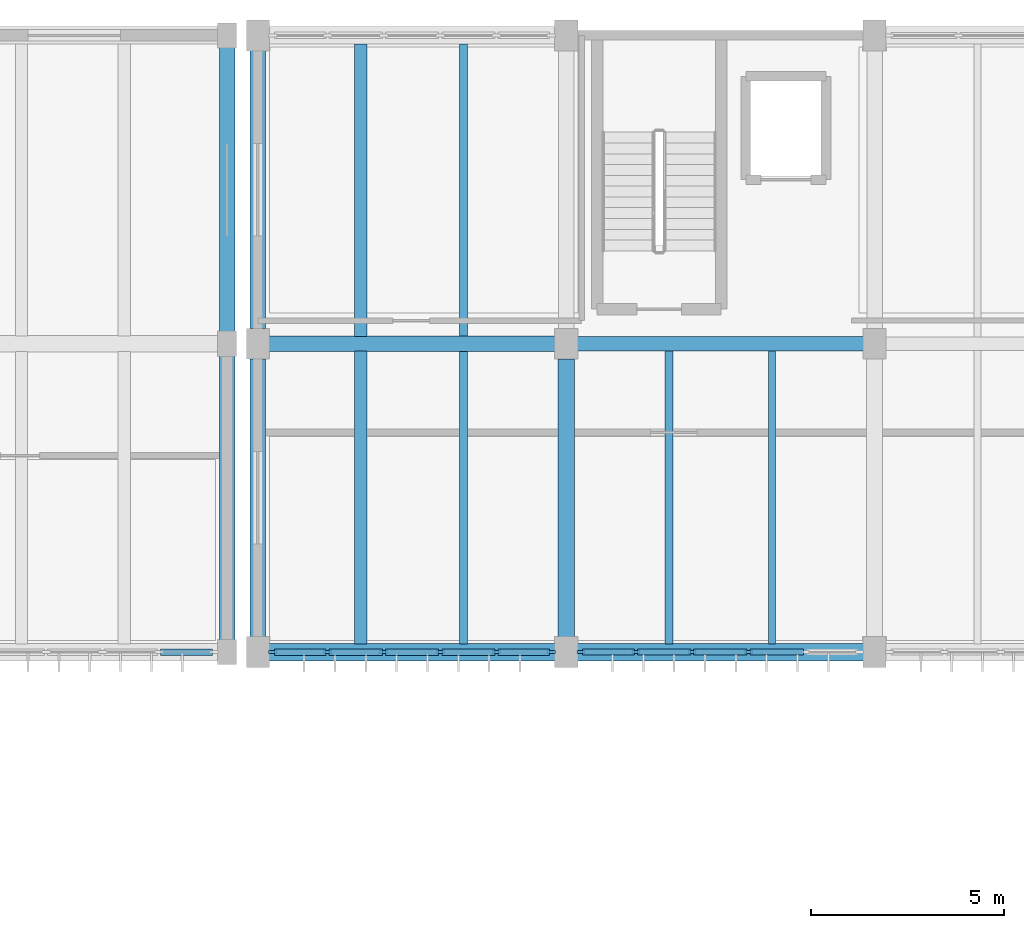
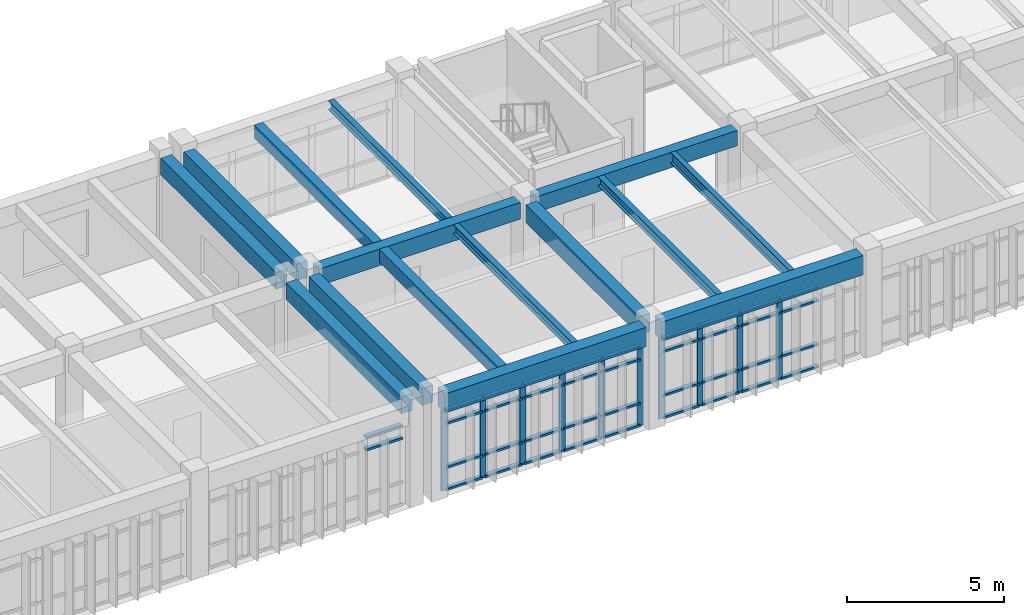
# One storey, part 23 of 67: 48 members, 15 beams, 3 elements without a shape of their own.
"""IFC4 building model written with IfcOpenShell, lengths in metres."""

from ifc_helpers import new_model, si_unit, direction, frame, origin, origin_2d, place, context, subcontext, project, spatial, rectangle, i_section, extrude, material, material_profile, profile_set, type_object, element, aggregate, save


model = new_model("IFC4")

# Units and contexts
model_context = context("Model", 3, precision=1e-05, world=origin(), true_north=direction((0.0, 1.0)))
body_context = subcontext(model_context, "Body", "Model", "MODEL_VIEW")
ifc_project = project(units=[si_unit("LENGTHUNIT", "METRE"), si_unit("AREAUNIT", "SQUARE_METRE"), si_unit("VOLUMEUNIT", "CUBIC_METRE"), si_unit("PLANEANGLEUNIT", "RADIAN"), si_unit("MASSUNIT", "GRAM", prefix="KILO")], contexts=[model_context])

# Site, building, storey
site_placement = place(None, origin())
site = spatial("IfcSite", under=ifc_project, at=site_placement, CompositionType="ELEMENT")
building_placement = place(site_placement, origin())
building = spatial("IfcBuilding", under=site, at=building_placement, Name="Tlaxcora Railside Police Headquarters", CompositionType="ELEMENT")
storey_placement = place(building_placement, frame((0.0, 0.0, 4.800048828125)))
storey = spatial("IfcBuildingStorey", under=building, at=storey_placement, Name="L01", CompositionType="ELEMENT", Elevation=4.800048828125)

# Curtain wall, members
ifc_material_1 = material(Name="Thermally broken low-E insulated glazing", Category="glass")
curtain_wall_type_1 = type_object("IfcCurtainWallType", Name="Unitised Curtain Wall Assembly CW-23", PredefinedType="NOTDEFINED", material=ifc_material_1)
curtain_wall_1_placement = place(storey_placement, origin())
curtain_wall_1 = element("IfcCurtainWall", 1, at=curtain_wall_1_placement, inside=storey, type_object=curtain_wall_type_1, Name="V6 L01 curtain wall 144", PredefinedType="NOTDEFINED")
ifc_material_2 = material(Name="Anodised aluminium framing", Category="aluminium")
ifc_material_profile_1 = material_profile(ifc_material_2, rectangle(XDim=0.080078125, YDim=0.219970703125, at=origin_2d()), Name="AL80X220")
ifc_profile_set_1 = profile_set([ifc_material_profile_1], Name="Anodised aluminium framing")
member_type_1 = type_object("IfcMemberType", Name="Curtain Wall Mullion CW-31", PredefinedType="MULLION", material=ifc_profile_set_1)
member_1_placement = place(storey_placement, frame((103.18994140625, 76.800048828125, 0.0), z_axis=(0.0, 0.0, 1.0), x_axis=(0.0, 1.0, 0.0)))
member_1 = element("IfcMember", 2, at=member_1_placement, type_object=member_type_1, Name="CW mullion 1", PredefinedType="MULLION", context=body_context, shape_type="SweptSolid", body=[
    extrude(rectangle(XDim=0.080078125, YDim=0.219970703125, at=origin_2d()), origin(), (0.0, 0.0, 1.0), 3.139892578125),
])
member_2_placement = place(storey_placement, frame((104.610107421875, 76.800048828125, 0.0), z_axis=(0.0, 0.0, 1.0), x_axis=(0.0, 1.0, 0.0)))
member_2 = element("IfcMember", 3, at=member_2_placement, type_object=member_type_1, Name="CW mullion 2", PredefinedType="MULLION", context=body_context, shape_type="SweptSolid", body=[
    extrude(rectangle(XDim=0.080078125, YDim=0.219970703125, at=origin_2d()), origin(), (0.0, 0.0, 1.0), 3.139892578125),
])
member_3_placement = place(storey_placement, frame((106.070068359375, 76.800048828125, 0.0), z_axis=(0.0, 0.0, 1.0), x_axis=(0.0, 1.0, 0.0)))
member_3 = element("IfcMember", 4, at=member_3_placement, type_object=member_type_1, Name="CW mullion 3", PredefinedType="MULLION", context=body_context, shape_type="SweptSolid", body=[
    extrude(rectangle(XDim=0.080078125, YDim=0.219970703125, at=origin_2d()), origin(), (0.0, 0.0, 1.0), 3.139892578125),
])
member_4_placement = place(storey_placement, frame((107.530029296875, 76.800048828125, 0.0), z_axis=(0.0, 0.0, 1.0), x_axis=(0.0, 1.0, 0.0)))
member_4 = element("IfcMember", 5, at=member_4_placement, type_object=member_type_1, Name="CW mullion 4", PredefinedType="MULLION", context=body_context, shape_type="SweptSolid", body=[
    extrude(rectangle(XDim=0.080078125, YDim=0.219970703125, at=origin_2d()), origin(), (0.0, 0.0, 1.0), 3.139892578125),
])
member_5_placement = place(storey_placement, frame((108.989990234375, 76.800048828125, 0.0), z_axis=(0.0, 0.0, 1.0), x_axis=(0.0, 1.0, 0.0)))
member_5 = element("IfcMember", 6, at=member_5_placement, type_object=member_type_1, Name="CW mullion 5", PredefinedType="MULLION", context=body_context, shape_type="SweptSolid", body=[
    extrude(rectangle(XDim=0.080078125, YDim=0.219970703125, at=origin_2d()), origin(), (0.0, 0.0, 1.0), 3.139892578125),
])
member_6_placement = place(storey_placement, frame((110.409912109375, 76.800048828125, 0.0), z_axis=(0.0, 0.0, 1.0), x_axis=(0.0, 1.0, 0.0)))
member_6 = element("IfcMember", 7, at=member_6_placement, type_object=member_type_1, Name="CW mullion 6", PredefinedType="MULLION", context=body_context, shape_type="SweptSolid", body=[
    extrude(rectangle(XDim=0.080078125, YDim=0.219970703125, at=origin_2d()), origin(), (0.0, 0.0, 1.0), 3.139892578125),
])

curtain_wall_type_2 = type_object("IfcCurtainWallType", Name="Unitised Curtain Wall Assembly CW-38", PredefinedType="NOTDEFINED", material=ifc_material_1)
curtain_wall_2_placement = place(storey_placement, origin())
curtain_wall_2 = element("IfcCurtainWall", 8, at=curtain_wall_2_placement, inside=storey, type_object=curtain_wall_type_2, Name="V6 L01 curtain wall 145", PredefinedType="NOTDEFINED")
ifc_material_profile_2 = material_profile(ifc_material_2, rectangle(XDim=0.074951171875, YDim=0.205078125, at=origin_2d()), Name="AL75X205")
ifc_profile_set_2 = profile_set([ifc_material_profile_2], Name="Anodised aluminium framing")
member_type_2 = type_object("IfcMemberType", Name="Curtain Wall Mullion CW-32", PredefinedType="MULLION", material=ifc_profile_set_2)
member_7_placement = place(storey_placement, frame((111.1875, 76.800048828125, 0.0), z_axis=(0.0, 0.0, 1.0), x_axis=(0.0, 1.0, 0.0)))
member_7 = element("IfcMember", 9, at=member_7_placement, type_object=member_type_2, Name="CW mullion 1", PredefinedType="MULLION", context=body_context, shape_type="SweptSolid", body=[
    extrude(rectangle(XDim=0.074951171875, YDim=0.205078125, at=origin_2d()), origin(), (0.0, 0.0, 1.0), 3.139892578125),
])
member_8_placement = place(storey_placement, frame((112.610107421875, 76.800048828125, 0.0), z_axis=(0.0, 0.0, 1.0), x_axis=(0.0, 1.0, 0.0)))
member_8 = element("IfcMember", 10, at=member_8_placement, type_object=member_type_2, Name="CW mullion 2", PredefinedType="MULLION", context=body_context, shape_type="SweptSolid", body=[
    extrude(rectangle(XDim=0.074951171875, YDim=0.205078125, at=origin_2d()), origin(), (0.0, 0.0, 1.0), 3.139892578125),
])
member_9_placement = place(storey_placement, frame((114.070068359375, 76.800048828125, 0.0), z_axis=(0.0, 0.0, 1.0), x_axis=(0.0, 1.0, 0.0)))
member_9 = element("IfcMember", 11, at=member_9_placement, type_object=member_type_2, Name="CW mullion 3", PredefinedType="MULLION", context=body_context, shape_type="SweptSolid", body=[
    extrude(rectangle(XDim=0.074951171875, YDim=0.205078125, at=origin_2d()), origin(), (0.0, 0.0, 1.0), 3.139892578125),
])
member_10_placement = place(storey_placement, frame((115.530029296875, 76.800048828125, 0.0), z_axis=(0.0, 0.0, 1.0), x_axis=(0.0, 1.0, 0.0)))
member_10 = element("IfcMember", 12, at=member_10_placement, type_object=member_type_2, Name="CW mullion 4", PredefinedType="MULLION", context=body_context, shape_type="SweptSolid", body=[
    extrude(rectangle(XDim=0.074951171875, YDim=0.205078125, at=origin_2d()), origin(), (0.0, 0.0, 1.0), 3.139892578125),
])
ifc_material_profile_3 = material_profile(ifc_material_2, rectangle(XDim=0.155029296875, YDim=0.074951171875, at=origin_2d()), Name="AL75X155")
ifc_profile_set_3 = profile_set([ifc_material_profile_3], Name="Anodised aluminium framing")
member_type_3 = type_object("IfcMemberType", Name="Curtain Wall Transom CW-30", PredefinedType="USERDEFINED", material=ifc_profile_set_3)
member_11_placement = place(storey_placement, frame((111.22509765625, 76.800048828125, 0.037353515625), z_axis=(1.0, 0.0, 0.0), x_axis=(0.0, 1.0, 0.0)))
member_11 = element("IfcMember", 13, at=member_11_placement, type_object=member_type_3, Name="CW transom 1.1", ObjectType="TRANSOM", PredefinedType="USERDEFINED", context=body_context, shape_type="SweptSolid", body=[
    extrude(rectangle(XDim=0.155029296875, YDim=0.074951171875, at=origin_2d()), origin(), (0.0, 0.0, 1.0), 1.347412109375),
])
member_12_placement = place(storey_placement, frame((111.22509765625, 76.800048828125, 0.89990234375), z_axis=(1.0, 0.0, 0.0), x_axis=(0.0, 1.0, 0.0)))
member_12 = element("IfcMember", 14, at=member_12_placement, type_object=member_type_3, Name="CW transom 1.2", ObjectType="TRANSOM", PredefinedType="USERDEFINED", context=body_context, shape_type="SweptSolid", body=[
    extrude(rectangle(XDim=0.155029296875, YDim=0.074951171875, at=origin_2d()), origin(), (0.0, 0.0, 1.0), 1.347412109375),
])
member_13_placement = place(storey_placement, frame((111.22509765625, 76.800048828125, 2.60986328125), z_axis=(1.0, 0.0, 0.0), x_axis=(0.0, 1.0, 0.0)))
member_13 = element("IfcMember", 15, at=member_13_placement, type_object=member_type_3, Name="CW transom 1.3", ObjectType="TRANSOM", PredefinedType="USERDEFINED", context=body_context, shape_type="SweptSolid", body=[
    extrude(rectangle(XDim=0.155029296875, YDim=0.074951171875, at=origin_2d()), origin(), (0.0, 0.0, 1.0), 1.347412109375),
])
member_14_placement = place(storey_placement, frame((111.22509765625, 76.800048828125, 3.1025390625), z_axis=(1.0, 0.0, 0.0), x_axis=(0.0, 1.0, 0.0)))
member_14 = element("IfcMember", 16, at=member_14_placement, type_object=member_type_3, Name="CW transom 1.4", ObjectType="TRANSOM", PredefinedType="USERDEFINED", context=body_context, shape_type="SweptSolid", body=[
    extrude(rectangle(XDim=0.155029296875, YDim=0.074951171875, at=origin_2d()), origin(), (0.0, 0.0, 1.0), 1.347412109375),
])
member_15_placement = place(storey_placement, frame((112.6474609375, 76.800048828125, 0.037353515625), z_axis=(1.0, 0.0, 0.0), x_axis=(0.0, 1.0, 0.0)))
member_15 = element("IfcMember", 17, at=member_15_placement, type_object=member_type_3, Name="CW transom 2.1", ObjectType="TRANSOM", PredefinedType="USERDEFINED", context=body_context, shape_type="SweptSolid", body=[
    extrude(rectangle(XDim=0.155029296875, YDim=0.074951171875, at=origin_2d()), origin(), (0.0, 0.0, 1.0), 1.385009765625),
])
member_16_placement = place(storey_placement, frame((112.6474609375, 76.800048828125, 0.89990234375), z_axis=(1.0, 0.0, 0.0), x_axis=(0.0, 1.0, 0.0)))
member_16 = element("IfcMember", 18, at=member_16_placement, type_object=member_type_3, Name="CW transom 2.2", ObjectType="TRANSOM", PredefinedType="USERDEFINED", context=body_context, shape_type="SweptSolid", body=[
    extrude(rectangle(XDim=0.155029296875, YDim=0.074951171875, at=origin_2d()), origin(), (0.0, 0.0, 1.0), 1.385009765625),
])
member_17_placement = place(storey_placement, frame((112.6474609375, 76.800048828125, 2.60986328125), z_axis=(1.0, 0.0, 0.0), x_axis=(0.0, 1.0, 0.0)))
member_17 = element("IfcMember", 19, at=member_17_placement, type_object=member_type_3, Name="CW transom 2.3", ObjectType="TRANSOM", PredefinedType="USERDEFINED", context=body_context, shape_type="SweptSolid", body=[
    extrude(rectangle(XDim=0.155029296875, YDim=0.074951171875, at=origin_2d()), origin(), (0.0, 0.0, 1.0), 1.385009765625),
])
member_18_placement = place(storey_placement, frame((112.6474609375, 76.800048828125, 3.1025390625), z_axis=(1.0, 0.0, 0.0), x_axis=(0.0, 1.0, 0.0)))
member_18 = element("IfcMember", 20, at=member_18_placement, type_object=member_type_3, Name="CW transom 2.4", ObjectType="TRANSOM", PredefinedType="USERDEFINED", context=body_context, shape_type="SweptSolid", body=[
    extrude(rectangle(XDim=0.155029296875, YDim=0.074951171875, at=origin_2d()), origin(), (0.0, 0.0, 1.0), 1.385009765625),
])
member_19_placement = place(storey_placement, frame((114.107421875, 76.800048828125, 0.037353515625), z_axis=(1.0, 0.0, 0.0), x_axis=(0.0, 1.0, 0.0)))
member_19 = element("IfcMember", 21, at=member_19_placement, type_object=member_type_3, Name="CW transom 3.1", ObjectType="TRANSOM", PredefinedType="USERDEFINED", context=body_context, shape_type="SweptSolid", body=[
    extrude(rectangle(XDim=0.155029296875, YDim=0.074951171875, at=origin_2d()), origin(), (0.0, 0.0, 1.0), 1.385009765625),
])
member_20_placement = place(storey_placement, frame((114.107421875, 76.800048828125, 0.89990234375), z_axis=(1.0, 0.0, 0.0), x_axis=(0.0, 1.0, 0.0)))
member_20 = element("IfcMember", 22, at=member_20_placement, type_object=member_type_3, Name="CW transom 3.2", ObjectType="TRANSOM", PredefinedType="USERDEFINED", context=body_context, shape_type="SweptSolid", body=[
    extrude(rectangle(XDim=0.155029296875, YDim=0.074951171875, at=origin_2d()), origin(), (0.0, 0.0, 1.0), 1.385009765625),
])
member_21_placement = place(storey_placement, frame((114.107421875, 76.800048828125, 2.60986328125), z_axis=(1.0, 0.0, 0.0), x_axis=(0.0, 1.0, 0.0)))
member_21 = element("IfcMember", 23, at=member_21_placement, type_object=member_type_3, Name="CW transom 3.3", ObjectType="TRANSOM", PredefinedType="USERDEFINED", context=body_context, shape_type="SweptSolid", body=[
    extrude(rectangle(XDim=0.155029296875, YDim=0.074951171875, at=origin_2d()), origin(), (0.0, 0.0, 1.0), 1.385009765625),
])
member_22_placement = place(storey_placement, frame((114.107421875, 76.800048828125, 3.1025390625), z_axis=(1.0, 0.0, 0.0), x_axis=(0.0, 1.0, 0.0)))
member_22 = element("IfcMember", 24, at=member_22_placement, type_object=member_type_3, Name="CW transom 3.4", ObjectType="TRANSOM", PredefinedType="USERDEFINED", context=body_context, shape_type="SweptSolid", body=[
    extrude(rectangle(XDim=0.155029296875, YDim=0.074951171875, at=origin_2d()), origin(), (0.0, 0.0, 1.0), 1.385009765625),
])
member_23_placement = place(storey_placement, frame((115.5673828125, 76.800048828125, 0.037353515625), z_axis=(1.0, 0.0, 0.0), x_axis=(0.0, 1.0, 0.0)))
member_23 = element("IfcMember", 25, at=member_23_placement, type_object=member_type_3, Name="CW transom 4.1", ObjectType="TRANSOM", PredefinedType="USERDEFINED", context=body_context, shape_type="SweptSolid", body=[
    extrude(rectangle(XDim=0.155029296875, YDim=0.074951171875, at=origin_2d()), origin(), (0.0, 0.0, 1.0), 1.385009765625),
])
member_24_placement = place(storey_placement, frame((115.5673828125, 76.800048828125, 0.89990234375), z_axis=(1.0, 0.0, 0.0), x_axis=(0.0, 1.0, 0.0)))
member_24 = element("IfcMember", 26, at=member_24_placement, type_object=member_type_3, Name="CW transom 4.2", ObjectType="TRANSOM", PredefinedType="USERDEFINED", context=body_context, shape_type="SweptSolid", body=[
    extrude(rectangle(XDim=0.155029296875, YDim=0.074951171875, at=origin_2d()), origin(), (0.0, 0.0, 1.0), 1.385009765625),
])
member_25_placement = place(storey_placement, frame((115.5673828125, 76.800048828125, 2.60986328125), z_axis=(1.0, 0.0, 0.0), x_axis=(0.0, 1.0, 0.0)))
member_25 = element("IfcMember", 27, at=member_25_placement, type_object=member_type_3, Name="CW transom 4.3", ObjectType="TRANSOM", PredefinedType="USERDEFINED", context=body_context, shape_type="SweptSolid", body=[
    extrude(rectangle(XDim=0.155029296875, YDim=0.074951171875, at=origin_2d()), origin(), (0.0, 0.0, 1.0), 1.385009765625),
])
member_26_placement = place(storey_placement, frame((115.5673828125, 76.800048828125, 3.1025390625), z_axis=(1.0, 0.0, 0.0), x_axis=(0.0, 1.0, 0.0)))
member_26 = element("IfcMember", 28, at=member_26_placement, type_object=member_type_3, Name="CW transom 4.4", ObjectType="TRANSOM", PredefinedType="USERDEFINED", context=body_context, shape_type="SweptSolid", body=[
    extrude(rectangle(XDim=0.155029296875, YDim=0.074951171875, at=origin_2d()), origin(), (0.0, 0.0, 1.0), 1.385009765625),
])
aggregate(curtain_wall_2, [member_7, member_8, member_9, member_10, member_11, member_12, member_13, member_14, member_15, member_16, member_17, member_18, member_19, member_20, member_21, member_22, member_23, member_24, member_25, member_26])

curtain_wall_3_placement = place(storey_placement, origin())
curtain_wall_3 = element("IfcCurtainWall", 29, at=curtain_wall_3_placement, inside=storey, type_object=curtain_wall_type_1, Name="V5 L01 curtain wall 40", PredefinedType="NOTDEFINED")
ifc_material_profile_4 = material_profile(ifc_material_2, rectangle(XDim=0.1650390625, YDim=0.080078125, at=origin_2d()), Name="AL80X165")
ifc_profile_set_4 = profile_set([ifc_material_profile_4], Name="Anodised aluminium framing")
member_type_4 = type_object("IfcMemberType", Name="Curtain Wall Transom CW-62", PredefinedType="USERDEFINED", material=ifc_profile_set_4)
member_27_placement = place(storey_placement, frame((100.27490234375, 76.800048828125, 2.60986328125), z_axis=(1.0, 0.0, 0.0), x_axis=(0.0, 1.0, 0.0)))
member_27 = element("IfcMember", 30, at=member_27_placement, type_object=member_type_4, Name="CW transom 5.3", ObjectType="TRANSOM", PredefinedType="USERDEFINED", context=body_context, shape_type="SweptSolid", body=[
    extrude(rectangle(XDim=0.1650390625, YDim=0.080078125, at=origin_2d()), origin(), (0.0, 0.0, 1.0), 1.34521484375),
])
member_28_placement = place(storey_placement, frame((100.27490234375, 76.800048828125, 3.099853515625), z_axis=(1.0, 0.0, 0.0), x_axis=(0.0, 1.0, 0.0)))
member_28 = element("IfcMember", 31, at=member_28_placement, type_object=member_type_4, Name="CW transom 5.4", ObjectType="TRANSOM", PredefinedType="USERDEFINED", context=body_context, shape_type="SweptSolid", body=[
    extrude(rectangle(XDim=0.1650390625, YDim=0.080078125, at=origin_2d()), origin(), (0.0, 0.0, 1.0), 1.34521484375),
])
aggregate(curtain_wall_3, [member_27, member_28])

# Member
member_29_placement = place(storey_placement, frame((103.22998046875, 76.800048828125, 0.0400390625), z_axis=(1.0, 0.0, 0.0), x_axis=(0.0, 1.0, 0.0)))
member_29 = element("IfcMember", 32, at=member_29_placement, type_object=member_type_4, Name="CW transom 1.1", ObjectType="TRANSOM", PredefinedType="USERDEFINED", context=body_context, shape_type="SweptSolid", body=[
    extrude(rectangle(XDim=0.1650390625, YDim=0.080078125, at=origin_2d()), origin(), (0.0, 0.0, 1.0), 1.340087890625),
])

member_30_placement = place(storey_placement, frame((103.22998046875, 76.800048828125, 0.89990234375), z_axis=(1.0, 0.0, 0.0), x_axis=(0.0, 1.0, 0.0)))
member_30 = element("IfcMember", 33, at=member_30_placement, type_object=member_type_4, Name="CW transom 1.2", ObjectType="TRANSOM", PredefinedType="USERDEFINED", context=body_context, shape_type="SweptSolid", body=[
    extrude(rectangle(XDim=0.1650390625, YDim=0.080078125, at=origin_2d()), origin(), (0.0, 0.0, 1.0), 1.340087890625),
])

member_31_placement = place(storey_placement, frame((103.22998046875, 76.800048828125, 2.60986328125), z_axis=(1.0, 0.0, 0.0), x_axis=(0.0, 1.0, 0.0)))
member_31 = element("IfcMember", 34, at=member_31_placement, type_object=member_type_4, Name="CW transom 1.3", ObjectType="TRANSOM", PredefinedType="USERDEFINED", context=body_context, shape_type="SweptSolid", body=[
    extrude(rectangle(XDim=0.1650390625, YDim=0.080078125, at=origin_2d()), origin(), (0.0, 0.0, 1.0), 1.340087890625),
])

member_32_placement = place(storey_placement, frame((103.22998046875, 76.800048828125, 3.099853515625), z_axis=(1.0, 0.0, 0.0), x_axis=(0.0, 1.0, 0.0)))
member_32 = element("IfcMember", 35, at=member_32_placement, type_object=member_type_4, Name="CW transom 1.4", ObjectType="TRANSOM", PredefinedType="USERDEFINED", context=body_context, shape_type="SweptSolid", body=[
    extrude(rectangle(XDim=0.1650390625, YDim=0.080078125, at=origin_2d()), origin(), (0.0, 0.0, 1.0), 1.340087890625),
])

member_33_placement = place(storey_placement, frame((104.64990234375, 76.800048828125, 0.0400390625), z_axis=(1.0, 0.0, 0.0), x_axis=(0.0, 1.0, 0.0)))
member_33 = element("IfcMember", 36, at=member_33_placement, type_object=member_type_4, Name="CW transom 2.1", ObjectType="TRANSOM", PredefinedType="USERDEFINED", context=body_context, shape_type="SweptSolid", body=[
    extrude(rectangle(XDim=0.1650390625, YDim=0.080078125, at=origin_2d()), origin(), (0.0, 0.0, 1.0), 1.380126953125),
])

member_34_placement = place(storey_placement, frame((104.64990234375, 76.800048828125, 0.89990234375), z_axis=(1.0, 0.0, 0.0), x_axis=(0.0, 1.0, 0.0)))
member_34 = element("IfcMember", 37, at=member_34_placement, type_object=member_type_4, Name="CW transom 2.2", ObjectType="TRANSOM", PredefinedType="USERDEFINED", context=body_context, shape_type="SweptSolid", body=[
    extrude(rectangle(XDim=0.1650390625, YDim=0.080078125, at=origin_2d()), origin(), (0.0, 0.0, 1.0), 1.380126953125),
])

member_35_placement = place(storey_placement, frame((104.64990234375, 76.800048828125, 2.60986328125), z_axis=(1.0, 0.0, 0.0), x_axis=(0.0, 1.0, 0.0)))
member_35 = element("IfcMember", 38, at=member_35_placement, type_object=member_type_4, Name="CW transom 2.3", ObjectType="TRANSOM", PredefinedType="USERDEFINED", context=body_context, shape_type="SweptSolid", body=[
    extrude(rectangle(XDim=0.1650390625, YDim=0.080078125, at=origin_2d()), origin(), (0.0, 0.0, 1.0), 1.380126953125),
])

member_36_placement = place(storey_placement, frame((104.64990234375, 76.800048828125, 3.099853515625), z_axis=(1.0, 0.0, 0.0), x_axis=(0.0, 1.0, 0.0)))
member_36 = element("IfcMember", 39, at=member_36_placement, type_object=member_type_4, Name="CW transom 2.4", ObjectType="TRANSOM", PredefinedType="USERDEFINED", context=body_context, shape_type="SweptSolid", body=[
    extrude(rectangle(XDim=0.1650390625, YDim=0.080078125, at=origin_2d()), origin(), (0.0, 0.0, 1.0), 1.380126953125),
])

member_37_placement = place(storey_placement, frame((106.110107421875, 76.800048828125, 0.0400390625), z_axis=(1.0, 0.0, 0.0), x_axis=(0.0, 1.0, 0.0)))
member_37 = element("IfcMember", 40, at=member_37_placement, type_object=member_type_4, Name="CW transom 3.1", ObjectType="TRANSOM", PredefinedType="USERDEFINED", context=body_context, shape_type="SweptSolid", body=[
    extrude(rectangle(XDim=0.1650390625, YDim=0.080078125, at=origin_2d()), origin(), (0.0, 0.0, 1.0), 1.3798828125),
])

member_38_placement = place(storey_placement, frame((106.110107421875, 76.800048828125, 0.89990234375), z_axis=(1.0, 0.0, 0.0), x_axis=(0.0, 1.0, 0.0)))
member_38 = element("IfcMember", 41, at=member_38_placement, type_object=member_type_4, Name="CW transom 3.2", ObjectType="TRANSOM", PredefinedType="USERDEFINED", context=body_context, shape_type="SweptSolid", body=[
    extrude(rectangle(XDim=0.1650390625, YDim=0.080078125, at=origin_2d()), origin(), (0.0, 0.0, 1.0), 1.3798828125),
])

member_39_placement = place(storey_placement, frame((106.110107421875, 76.800048828125, 2.60986328125), z_axis=(1.0, 0.0, 0.0), x_axis=(0.0, 1.0, 0.0)))
member_39 = element("IfcMember", 42, at=member_39_placement, type_object=member_type_4, Name="CW transom 3.3", ObjectType="TRANSOM", PredefinedType="USERDEFINED", context=body_context, shape_type="SweptSolid", body=[
    extrude(rectangle(XDim=0.1650390625, YDim=0.080078125, at=origin_2d()), origin(), (0.0, 0.0, 1.0), 1.3798828125),
])

member_40_placement = place(storey_placement, frame((106.110107421875, 76.800048828125, 3.099853515625), z_axis=(1.0, 0.0, 0.0), x_axis=(0.0, 1.0, 0.0)))
member_40 = element("IfcMember", 43, at=member_40_placement, type_object=member_type_4, Name="CW transom 3.4", ObjectType="TRANSOM", PredefinedType="USERDEFINED", context=body_context, shape_type="SweptSolid", body=[
    extrude(rectangle(XDim=0.1650390625, YDim=0.080078125, at=origin_2d()), origin(), (0.0, 0.0, 1.0), 1.3798828125),
])

member_41_placement = place(storey_placement, frame((107.570068359375, 76.800048828125, 0.0400390625), z_axis=(1.0, 0.0, 0.0), x_axis=(0.0, 1.0, 0.0)))
member_41 = element("IfcMember", 44, at=member_41_placement, type_object=member_type_4, Name="CW transom 4.1", ObjectType="TRANSOM", PredefinedType="USERDEFINED", context=body_context, shape_type="SweptSolid", body=[
    extrude(rectangle(XDim=0.1650390625, YDim=0.080078125, at=origin_2d()), origin(), (0.0, 0.0, 1.0), 1.3798828125),
])

member_42_placement = place(storey_placement, frame((107.570068359375, 76.800048828125, 0.89990234375), z_axis=(1.0, 0.0, 0.0), x_axis=(0.0, 1.0, 0.0)))
member_42 = element("IfcMember", 45, at=member_42_placement, type_object=member_type_4, Name="CW transom 4.2", ObjectType="TRANSOM", PredefinedType="USERDEFINED", context=body_context, shape_type="SweptSolid", body=[
    extrude(rectangle(XDim=0.1650390625, YDim=0.080078125, at=origin_2d()), origin(), (0.0, 0.0, 1.0), 1.3798828125),
])

member_43_placement = place(storey_placement, frame((107.570068359375, 76.800048828125, 2.60986328125), z_axis=(1.0, 0.0, 0.0), x_axis=(0.0, 1.0, 0.0)))
member_43 = element("IfcMember", 46, at=member_43_placement, type_object=member_type_4, Name="CW transom 4.3", ObjectType="TRANSOM", PredefinedType="USERDEFINED", context=body_context, shape_type="SweptSolid", body=[
    extrude(rectangle(XDim=0.1650390625, YDim=0.080078125, at=origin_2d()), origin(), (0.0, 0.0, 1.0), 1.3798828125),
])

member_44_placement = place(storey_placement, frame((107.570068359375, 76.800048828125, 3.099853515625), z_axis=(1.0, 0.0, 0.0), x_axis=(0.0, 1.0, 0.0)))
member_44 = element("IfcMember", 47, at=member_44_placement, type_object=member_type_4, Name="CW transom 4.4", ObjectType="TRANSOM", PredefinedType="USERDEFINED", context=body_context, shape_type="SweptSolid", body=[
    extrude(rectangle(XDim=0.1650390625, YDim=0.080078125, at=origin_2d()), origin(), (0.0, 0.0, 1.0), 1.3798828125),
])

member_45_placement = place(storey_placement, frame((109.030029296875, 76.800048828125, 0.0400390625), z_axis=(1.0, 0.0, 0.0), x_axis=(0.0, 1.0, 0.0)))
member_45 = element("IfcMember", 48, at=member_45_placement, type_object=member_type_4, Name="CW transom 5.1", ObjectType="TRANSOM", PredefinedType="USERDEFINED", context=body_context, shape_type="SweptSolid", body=[
    extrude(rectangle(XDim=0.1650390625, YDim=0.080078125, at=origin_2d()), origin(), (0.0, 0.0, 1.0), 1.340087890625),
])

member_46_placement = place(storey_placement, frame((109.030029296875, 76.800048828125, 0.89990234375), z_axis=(1.0, 0.0, 0.0), x_axis=(0.0, 1.0, 0.0)))
member_46 = element("IfcMember", 49, at=member_46_placement, type_object=member_type_4, Name="CW transom 5.2", ObjectType="TRANSOM", PredefinedType="USERDEFINED", context=body_context, shape_type="SweptSolid", body=[
    extrude(rectangle(XDim=0.1650390625, YDim=0.080078125, at=origin_2d()), origin(), (0.0, 0.0, 1.0), 1.340087890625),
])

member_47_placement = place(storey_placement, frame((109.030029296875, 76.800048828125, 2.60986328125), z_axis=(1.0, 0.0, 0.0), x_axis=(0.0, 1.0, 0.0)))
member_47 = element("IfcMember", 50, at=member_47_placement, type_object=member_type_4, Name="CW transom 5.3", ObjectType="TRANSOM", PredefinedType="USERDEFINED", context=body_context, shape_type="SweptSolid", body=[
    extrude(rectangle(XDim=0.1650390625, YDim=0.080078125, at=origin_2d()), origin(), (0.0, 0.0, 1.0), 1.340087890625),
])

member_48_placement = place(storey_placement, frame((109.030029296875, 76.800048828125, 3.099853515625), z_axis=(1.0, 0.0, 0.0), x_axis=(0.0, 1.0, 0.0)))
member_48 = element("IfcMember", 51, at=member_48_placement, type_object=member_type_4, Name="CW transom 5.4", ObjectType="TRANSOM", PredefinedType="USERDEFINED", context=body_context, shape_type="SweptSolid", body=[
    extrude(rectangle(XDim=0.1650390625, YDim=0.080078125, at=origin_2d()), origin(), (0.0, 0.0, 1.0), 1.340087890625),
])

aggregate(curtain_wall_1, [member_1, member_2, member_3, member_4, member_5, member_6, member_29, member_30, member_31, member_32, member_33, member_34, member_35, member_36, member_37, member_38, member_39, member_40, member_41, member_42, member_43, member_44, member_45, member_46, member_47, member_48])

# Beams
ifc_material_3 = material(Name="Concrete C40/50", Category="concrete")
ifc_material_profile_5 = material_profile(ifc_material_3, rectangle(XDim=0.39990234375, YDim=0.64990234375, at=origin_2d()), Name="RC400X650")
ifc_profile_set_5 = profile_set([ifc_material_profile_5], Name="Concrete C40/50")
beam_type_1 = type_object("IfcBeamType", Name="Perimeter Spandrel Beam BM-46", PredefinedType="SPANDREL", material=ifc_profile_set_5)
for number, where, z_axis, x_axis, name in (
    (52, (102.0, 77.114990234375, 3.5849609375), (0.0, 1.0, 0.0), (-1.0, 0.0, 0.0), "V5 L01 Y-girder X=102.0"),
    (53, (102.0, 85.114990234375, 3.5849609375), (0.0, 1.0, 0.0), (-1.0, 0.0, 0.0), "V5 L01 Y-girder X=102.0"),
):
    element("IfcBeam", number, at=place(storey_placement, frame(where, z_axis=z_axis, x_axis=x_axis)), inside=storey, type_object=beam_type_1, Name=name, PredefinedType="SPANDREL", context=body_context, shape_type="SweptSolid", body=[
        extrude(rectangle(XDim=0.39990234375, YDim=0.64990234375, at=origin_2d()), origin(), (0.0, 0.0, 1.0), 7.3701171875),
    ])
for number, where, z_axis, x_axis, name in (
    (54, (102.800048828125, 77.18994140625, 3.5849609375), (0.0, 1.0, 0.0), (-1.0, 0.0, 0.0), "V6 L01 Y-girder X=102.8"),
    (55, (102.800048828125, 85.18994140625, 3.5849609375), (0.0, 1.0, 0.0), (-1.0, 0.0, 0.0), "V6 L01 Y-girder X=102.8"),
):
    element("IfcBeam", number, at=place(storey_placement, frame(where, z_axis=z_axis, x_axis=x_axis)), inside=storey, type_object=beam_type_1, Name=name, PredefinedType="SPANDREL", context=body_context, shape_type="SweptSolid", body=[
        extrude(rectangle(XDim=0.39990234375, YDim=0.64990234375, at=origin_2d()), origin(), (0.0, 0.0, 1.0), 7.219970703125),
    ])
ifc_material_profile_6 = material_profile(ifc_material_3, rectangle(XDim=0.449951171875, YDim=0.75, at=origin_2d()), Name="RC450X750")
ifc_profile_set_6 = profile_set([ifc_material_profile_6], Name="Concrete C40/50")
beam_type_2 = type_object("IfcBeamType", Name="Perimeter Spandrel Beam BM-86", PredefinedType="SPANDREL", material=ifc_profile_set_6)
for number, where, z_axis, x_axis, name in (
    (56, (103.090087890625, 76.800048828125, 3.534912109375), (1.0, 0.0, 0.0), (0.0, 1.0, 0.0), "V6 L01 X-girder Y=76.8"),
    (57, (111.090087890625, 76.800048828125, 3.534912109375), (1.0, 0.0, 0.0), (0.0, 1.0, 0.0), "V6 L01 X-girder Y=76.8"),
):
    element("IfcBeam", number, at=place(storey_placement, frame(where, z_axis=z_axis, x_axis=x_axis)), inside=storey, type_object=beam_type_2, Name=name, PredefinedType="SPANDREL", context=body_context, shape_type="SweptSolid", body=[
        extrude(rectangle(XDim=0.449951171875, YDim=0.75, at=origin_2d()), origin(), (0.0, 0.0, 1.0), 7.419921875),
    ])
ifc_material_profile_7 = material_profile(ifc_material_3, rectangle(XDim=0.3798828125, YDim=0.60009765625, at=origin_2d()), Name="RC380X600")
ifc_profile_set_7 = profile_set([ifc_material_profile_7], Name="Concrete C40/50")
beam_type_3 = type_object("IfcBeamType", Name="Primary Frame Girder BM-22", PredefinedType="BEAM", material=ifc_profile_set_7)
beam_1_placement = place(storey_placement, frame((111.090087890625, 84.800048828125, 3.60986328125), z_axis=(1.0, 0.0, 0.0), x_axis=(0.0, 1.0, 0.0)))
element("IfcBeam", 58, at=beam_1_placement, inside=storey, type_object=beam_type_3, Name="V6 L01 X-girder Y=84.8", PredefinedType="BEAM", context=body_context, shape_type="SweptSolid", body=[
    extrude(rectangle(XDim=0.3798828125, YDim=0.60009765625, at=origin_2d()), origin(), (0.0, 0.0, 1.0), 7.419921875),
])
ifc_material_profile_8 = material_profile(ifc_material_3, rectangle(XDim=0.419921875, YDim=0.699951171875, at=origin_2d()), Name="RC420X700")
ifc_profile_set_8 = profile_set([ifc_material_profile_8], Name="Concrete C40/50")
beam_type_4 = type_object("IfcBeamType", Name="Primary Frame Girder BM-35", PredefinedType="BEAM", material=ifc_profile_set_8)
beam_2_placement = place(storey_placement, frame((110.800048828125, 77.18994140625, 3.56005859375), z_axis=(0.0, 1.0, 0.0), x_axis=(-1.0, 0.0, 0.0)))
element("IfcBeam", 59, at=beam_2_placement, inside=storey, type_object=beam_type_4, Name="V6 L01 Y-girder X=110.8", PredefinedType="BEAM", context=body_context, shape_type="SweptSolid", body=[
    extrude(rectangle(XDim=0.419921875, YDim=0.699951171875, at=origin_2d()), origin(), (0.0, 0.0, 1.0), 7.219970703125),
])
ifc_material_profile_9 = material_profile(ifc_material_3, rectangle(XDim=0.39990234375, YDim=0.64990234375, at=origin_2d()), Name="RC400X650")
ifc_profile_set_9 = profile_set([ifc_material_profile_9], Name="Concrete C40/50")
beam_type_5 = type_object("IfcBeamType", Name="Primary Frame Girder BM-41", PredefinedType="BEAM", material=ifc_profile_set_9)
beam_3_placement = place(storey_placement, frame((103.090087890625, 84.800048828125, 3.5849609375), z_axis=(1.0, 0.0, 0.0), x_axis=(0.0, 1.0, 0.0)))
element("IfcBeam", 60, at=beam_3_placement, inside=storey, type_object=beam_type_5, Name="V6 L01 X-girder Y=84.8", PredefinedType="BEAM", context=body_context, shape_type="SweptSolid", body=[
    extrude(rectangle(XDim=0.39990234375, YDim=0.64990234375, at=origin_2d()), origin(), (0.0, 0.0, 1.0), 7.419921875),
])
ifc_material_4 = material(Name="Steel ASTM A992 Grade 50", Category="steel")
ifc_material_profile_10 = material_profile(ifc_material_4, i_section(OverallWidth=0.2041015625, OverallDepth=0.35009765625, WebThickness=0.008544921875, FlangeThickness=0.01513671875, at=origin_2d()), Name="W14X48")
ifc_profile_set_10 = profile_set([ifc_material_profile_10], Name="Steel ASTM A992 Grade 50")
beam_type_6 = type_object("IfcBeamType", Name="Secondary Floor Joist BM-65", PredefinedType="JOIST", material=ifc_profile_set_10)
beam_4_placement = place(storey_placement, frame((108.13330078125, 77.01708984375, 3.73486328125), z_axis=(0.0, 1.0, 0.0), x_axis=(-1.0, 0.0, 0.0)))
element("IfcBeam", 61, at=beam_4_placement, inside=storey, type_object=beam_type_6, Name="V6 L01 floor joist X=108.13", PredefinedType="JOIST", context=body_context, shape_type="SweptSolid", body=[
    extrude(i_section(OverallWidth=0.2041015625, OverallDepth=0.35009765625, WebThickness=0.008544921875, FlangeThickness=0.01513671875, at=origin_2d()), origin(), (0.0, 0.0, 1.0), 7.5908203125),
])
beam_5_placement = place(storey_placement, frame((113.466796875, 77.01708984375, 3.73486328125), z_axis=(0.0, 1.0, 0.0), x_axis=(-1.0, 0.0, 0.0)))
element("IfcBeam", 62, at=beam_5_placement, inside=storey, type_object=beam_type_6, Name="V6 L01 floor joist X=113.47", PredefinedType="JOIST", context=body_context, shape_type="SweptSolid", body=[
    extrude(i_section(OverallWidth=0.2041015625, OverallDepth=0.35009765625, WebThickness=0.008544921875, FlangeThickness=0.01513671875, at=origin_2d()), origin(), (0.0, 0.0, 1.0), 7.600830078125),
])
beam_6_placement = place(storey_placement, frame((108.13330078125, 84.991943359375, 3.73486328125), z_axis=(0.0, 1.0, 0.0), x_axis=(-1.0, 0.0, 0.0)))
element("IfcBeam", 63, at=beam_6_placement, inside=storey, type_object=beam_type_6, Name="V6 L01 floor joist X=108.13", PredefinedType="JOIST", context=body_context, shape_type="SweptSolid", body=[
    extrude(i_section(OverallWidth=0.2041015625, OverallDepth=0.35009765625, WebThickness=0.008544921875, FlangeThickness=0.01513671875, at=origin_2d()), origin(), (0.0, 0.0, 1.0), 7.591064453125),
])
ifc_material_profile_11 = material_profile(ifc_material_4, i_section(OverallWidth=0.180908203125, OverallDepth=0.4169921875, WebThickness=0.010009765625, FlangeThickness=0.018310546875, at=origin_2d()), Name="W16X57")
ifc_profile_set_11 = profile_set([ifc_material_profile_11], Name="Steel ASTM A992 Grade 50")
beam_type_7 = type_object("IfcBeamType", Name="Secondary Floor Joist BM-84", PredefinedType="JOIST", material=ifc_profile_set_11)
beam_7_placement = place(storey_placement, frame((116.13330078125, 77.01708984375, 3.701416015625), z_axis=(0.0, 1.0, 0.0), x_axis=(-1.0, 0.0, 0.0)))
element("IfcBeam", 64, at=beam_7_placement, inside=storey, type_object=beam_type_7, Name="V6 L01 floor joist X=116.13", PredefinedType="JOIST", context=body_context, shape_type="SweptSolid", body=[
    extrude(i_section(OverallWidth=0.180908203125, OverallDepth=0.4169921875, WebThickness=0.010009765625, FlangeThickness=0.018310546875, at=origin_2d()), origin(), (0.0, 0.0, 1.0), 7.600830078125),
])
ifc_material_5 = material(Name="Concrete C35/45", Category="concrete")
ifc_material_profile_12 = material_profile(ifc_material_5, rectangle(XDim=0.320068359375, YDim=0.5, at=origin_2d()), Name="RC320X500")
ifc_profile_set_12 = profile_set([ifc_material_profile_12], Name="Concrete C35/45")
beam_type_8 = type_object("IfcBeamType", Name="Secondary Floor Joist BM-88", PredefinedType="JOIST", material=ifc_profile_set_12)
beam_8_placement = place(storey_placement, frame((105.466796875, 77.01708984375, 3.659912109375), z_axis=(0.0, 1.0, 0.0), x_axis=(-1.0, 0.0, 0.0)))
element("IfcBeam", 65, at=beam_8_placement, inside=storey, type_object=beam_type_8, Name="V6 L01 floor joist X=105.47", PredefinedType="JOIST", context=body_context, shape_type="SweptSolid", body=[
    extrude(rectangle(XDim=0.320068359375, YDim=0.5, at=origin_2d()), origin(), (0.0, 0.0, 1.0), 7.5908203125),
])
beam_9_placement = place(storey_placement, frame((105.466796875, 84.991943359375, 3.659912109375), z_axis=(0.0, 1.0, 0.0), x_axis=(-1.0, 0.0, 0.0)))
element("IfcBeam", 66, at=beam_9_placement, inside=storey, type_object=beam_type_8, Name="V6 L01 floor joist X=105.47", PredefinedType="JOIST", context=body_context, shape_type="SweptSolid", body=[
    extrude(rectangle(XDim=0.320068359375, YDim=0.5, at=origin_2d()), origin(), (0.0, 0.0, 1.0), 7.591064453125),
])

save(model, "model.ifc")
